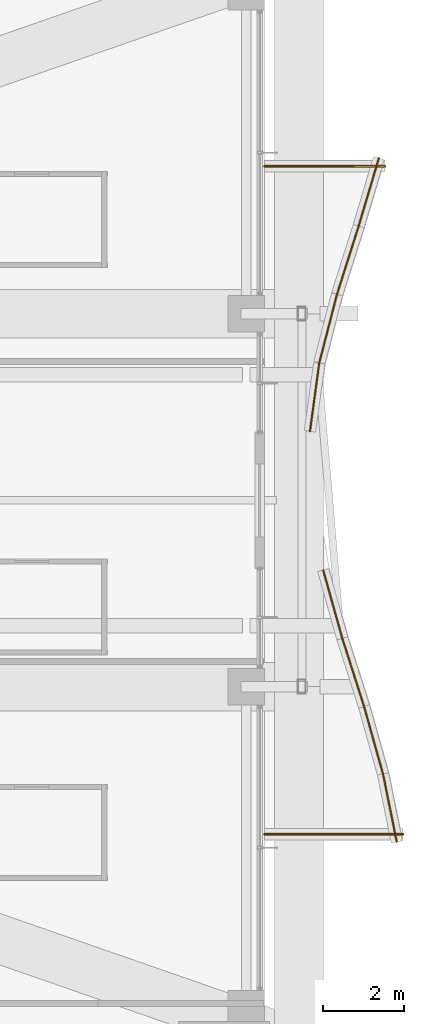
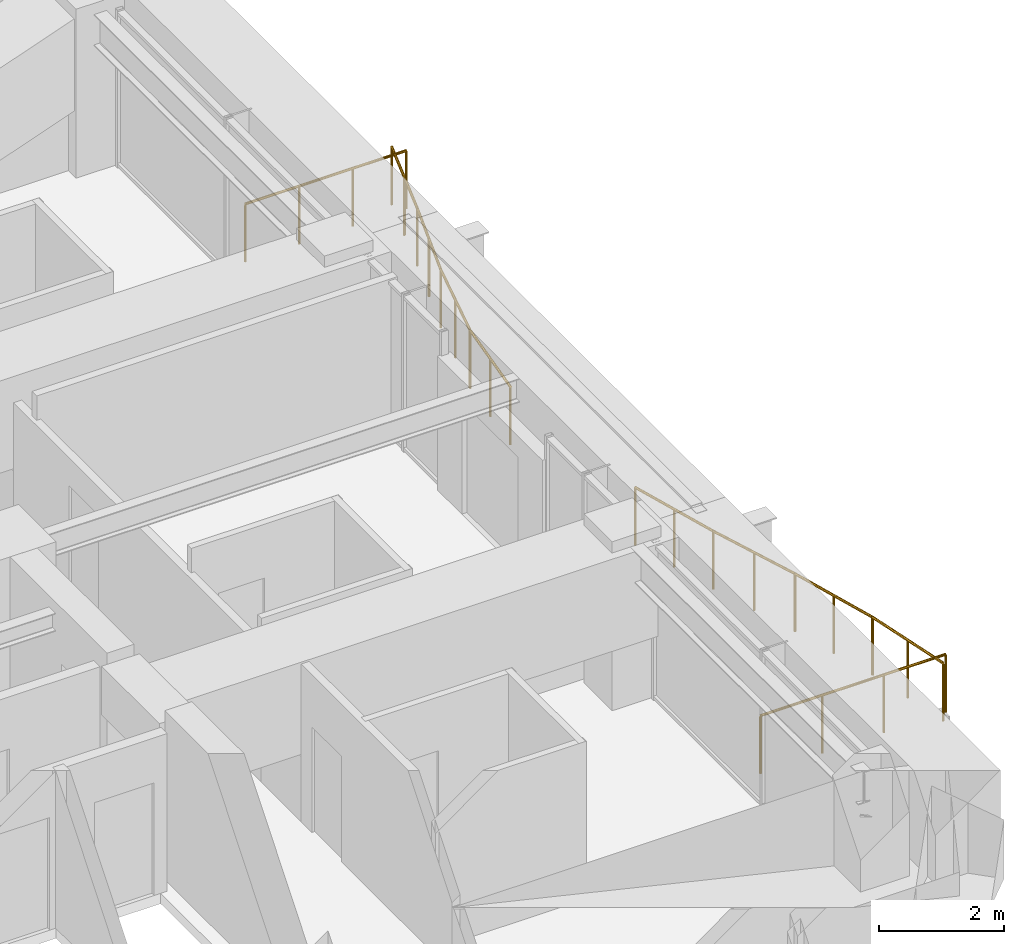
# One storey, part 40 of 40: 10 railings.
"""IFC4 building model written with IfcOpenShell, lengths in metres."""

from ifc_helpers import new_model, si_unit, direction, frame, origin, origin_2d, place, context, subcontext, project, spatial, circle, extrude, material, type_object, element, save


model = new_model("IFC4")

# Units and contexts
model_context = context("Model", 3, precision=1e-05, world=origin(), true_north=direction((0.0, 1.0)))
body_context = subcontext(model_context, "Body", "Model", "MODEL_VIEW")
ifc_project = project(units=[si_unit("LENGTHUNIT", "METRE"), si_unit("AREAUNIT", "SQUARE_METRE"), si_unit("VOLUMEUNIT", "CUBIC_METRE"), si_unit("PLANEANGLEUNIT", "RADIAN"), si_unit("MASSUNIT", "GRAM", prefix="KILO")], contexts=[model_context])

# Site, building, storey
site_placement = place(None, origin())
site = spatial("IfcSite", under=ifc_project, at=site_placement, CompositionType="ELEMENT")
building_placement = place(site_placement, origin())
building = spatial("IfcBuilding", under=site, at=building_placement, Name="Kolvaren Belvedere", CompositionType="ELEMENT")
storey_placement = place(building_placement, frame((0.0, 0.0, 170.10009765625)))
storey = spatial("IfcBuildingStorey", under=building, at=storey_placement, Name="L49", CompositionType="ELEMENT", Elevation=170.10009765625)

# Railings
ifc_material = material(Name="Anodised pale-metal aluminium & laminated glass guard", Category="aluminium")
railing_type = type_object("IfcRailingType", Name="RL-GUARD-1150", PredefinedType="GUARDRAIL", material=ifc_material)
railing_1_placement = place(storey_placement, frame((22.36328125, -8.431884765625, 0.39990234375)))
element("IfcRailing", 1, at=railing_1_placement, inside=storey, type_object=railing_type, Name="L49 Exterior Deck Safety Guard BAL-E-1", PredefinedType="GUARDRAIL", context=body_context, shape_type="SweptSolid", body=[
    extrude(circle(Radius=0.02392578125, at=origin_2d()), frame((0.0, 0.0, 1.1259765625), z_axis=(-0.198799211857, 0.980040240687, 0.0), x_axis=(-0.980040240687, -0.198799211857, 0.0)), (0.0, 0.0, 1.0), 1.71435546875),
    extrude(circle(Radius=0.02099609375, at=origin_2d()), origin(), (0.0, 0.0, 1.0), 1.101806640625),
    extrude(circle(Radius=0.02099609375, at=origin_2d()), frame((-0.17041015625, 0.840087890625, 0.0)), (0.0, 0.0, 1.0), 1.101806640625),
    extrude(circle(Radius=0.02099609375, at=origin_2d()), frame((-0.3408203125, 1.68017578125, 0.0)), (0.0, 0.0, 1.0), 1.101806640625),
])
railing_2_placement = place(storey_placement, frame((22.025146484375, -6.76318359375, 0.39990234375)))
element("IfcRailing", 2, at=railing_2_placement, inside=storey, type_object=railing_type, Name="L49 Exterior Deck Safety Guard BAL-E-2", PredefinedType="GUARDRAIL", context=body_context, shape_type="SweptSolid", body=[
    extrude(circle(Radius=0.02392578125, at=origin_2d()), frame((0.0, 0.0, 1.1259765625), z_axis=(-0.269801210823, 0.962916043401, 0.0), x_axis=(-0.962916043401, -0.269801210823, 0.0)), (0.0, 0.0, 1.0), 1.74462890625),
    extrude(circle(Radius=0.02099609375, at=origin_2d()), origin(), (0.0, 0.0, 1.0), 1.101806640625),
    extrude(circle(Radius=0.02099609375, at=origin_2d()), frame((-0.2353515625, 0.83984375, 0.0)), (0.0, 0.0, 1.0), 1.101806640625),
    extrude(circle(Radius=0.02099609375, at=origin_2d()), frame((-0.470703125, 1.679931640625, 0.0)), (0.0, 0.0, 1.0), 1.101806640625),
])
railing_3_placement = place(storey_placement, frame((21.55615234375, -5.088623046875, 0.39990234375)))
element("IfcRailing", 3, at=railing_3_placement, inside=storey, type_object=railing_type, Name="L49 Exterior Deck Safety Guard BAL-E-3", PredefinedType="GUARDRAIL", context=body_context, shape_type="SweptSolid", body=[
    extrude(circle(Radius=0.02392578125, at=origin_2d()), frame((0.0, 0.0, 1.1259765625), z_axis=(-0.304534629099, 0.952501264923, 0.0), x_axis=(-0.952501264923, -0.304534629099, 0.0)), (0.0, 0.0, 1.0), 1.763671875),
    extrude(circle(Radius=0.02099609375, at=origin_2d()), origin(), (0.0, 0.0, 1.0), 1.101806640625),
    extrude(circle(Radius=0.02099609375, at=origin_2d()), frame((-0.2685546875, 0.83984375, 0.0)), (0.0, 0.0, 1.0), 1.101806640625),
    extrude(circle(Radius=0.02099609375, at=origin_2d()), frame((-0.537109375, 1.679931640625, 0.0)), (0.0, 0.0, 1.0), 1.101806640625),
])
railing_4_placement = place(storey_placement, frame((21.017333984375, -3.4033203125, 0.39990234375)))
element("IfcRailing", 4, at=railing_4_placement, inside=storey, type_object=railing_type, Name="L49 Exterior Deck Safety Guard BAL-E-4", PredefinedType="GUARDRAIL", context=body_context, shape_type="SweptSolid", body=[
    extrude(circle(Radius=0.02392578125, at=origin_2d()), frame((0.0, 0.0, 1.1259765625), z_axis=(-0.269764860108, 0.962926227834, 0.0), x_axis=(-0.962926227834, -0.269764860108, 0.0)), (0.0, 0.0, 1.0), 1.744873046875),
    extrude(circle(Radius=0.02099609375, at=origin_2d()), origin(), (0.0, 0.0, 1.0), 1.101806640625),
    extrude(circle(Radius=0.02099609375, at=origin_2d()), frame((-0.2353515625, 0.840087890625, 0.0)), (0.0, 0.0, 1.0), 1.101806640625),
    extrude(circle(Radius=0.02099609375, at=origin_2d()), frame((-0.470703125, 1.68017578125, 0.0)), (0.0, 0.0, 1.0), 1.101806640625),
])
railing_5_placement = place(storey_placement, frame((20.220703125, 1.70166015625, 0.39990234375)))
element("IfcRailing", 5, at=railing_5_placement, inside=storey, type_object=railing_type, Name="L49 Exterior Deck Safety Guard BAL-E-7", PredefinedType="GUARDRAIL", context=body_context, shape_type="SweptSolid", body=[
    extrude(circle(Radius=0.02392578125, at=origin_2d()), frame((0.0, 0.0, 1.1259765625), z_axis=(0.134785469631, 0.990874803987, 0.0), x_axis=(-0.990874803987, 0.134785469631, 0.0)), (0.0, 0.0, 1.0), 1.6953125),
    extrude(circle(Radius=0.02099609375, at=origin_2d()), origin(), (0.0, 0.0, 1.0), 1.101806640625),
    extrude(circle(Radius=0.02099609375, at=origin_2d()), frame((0.1142578125, 0.83984375, 0.0)), (0.0, 0.0, 1.0), 1.101806640625),
    extrude(circle(Radius=0.02099609375, at=origin_2d()), frame((0.228515625, 1.679931640625, 0.0)), (0.0, 0.0, 1.0), 1.101806640625),
])
railing_6_placement = place(storey_placement, frame((20.452880859375, 3.400146484375, 0.39990234375)))
element("IfcRailing", 6, at=railing_6_placement, inside=storey, type_object=railing_type, Name="L49 Exterior Deck Safety Guard BAL-E-8", PredefinedType="GUARDRAIL", context=body_context, shape_type="SweptSolid", body=[
    extrude(circle(Radius=0.02392578125, at=origin_2d()), frame((0.0, 0.0, 1.1259765625), z_axis=(0.250439664624, 0.968132209145, 0.0), x_axis=(-0.968132209145, 0.250439664624, 0.0)), (0.0, 0.0, 1.0), 1.7353515625),
    extrude(circle(Radius=0.02099609375, at=origin_2d()), origin(), (0.0, 0.0, 1.0), 1.101806640625),
    extrude(circle(Radius=0.02099609375, at=origin_2d()), frame((0.21728515625, 0.83984375, 0.0)), (0.0, 0.0, 1.0), 1.101806640625),
    extrude(circle(Radius=0.02099609375, at=origin_2d()), frame((0.4345703125, 1.679931640625, 0.0)), (0.0, 0.0, 1.0), 1.101806640625),
])
railing_7_placement = place(storey_placement, frame((20.889892578125, 5.08837890625, 0.39990234375)))
element("IfcRailing", 7, at=railing_7_placement, inside=storey, type_object=railing_type, Name="L49 Exterior Deck Safety Guard BAL-E-9", PredefinedType="GUARDRAIL", context=body_context, shape_type="SweptSolid", body=[
    extrude(circle(Radius=0.02392578125, at=origin_2d()), frame((0.0, 0.0, 1.1259765625), z_axis=(0.302397356111, 0.953181954832, 0.0), x_axis=(-0.953181954832, 0.302397356111, 0.0)), (0.0, 0.0, 1.0), 1.762451171875),
    extrude(circle(Radius=0.02099609375, at=origin_2d()), origin(), (0.0, 0.0, 1.0), 1.101806640625),
    extrude(circle(Radius=0.02099609375, at=origin_2d()), frame((0.2666015625, 0.83984375, 0.0)), (0.0, 0.0, 1.0), 1.101806640625),
    extrude(circle(Radius=0.02099609375, at=origin_2d()), frame((0.532958984375, 1.679931640625, 0.0)), (0.0, 0.0, 1.0), 1.101806640625),
])
railing_8_placement = place(storey_placement, frame((21.422119140625, 6.765625, 0.39990234375)))
element("IfcRailing", 8, at=railing_8_placement, inside=storey, type_object=railing_type, Name="L49 Exterior Deck Safety Guard BAL-E-10", PredefinedType="GUARDRAIL", context=body_context, shape_type="SweptSolid", body=[
    extrude(circle(Radius=0.02392578125, at=origin_2d()), frame((0.0, 0.0, 1.1259765625), z_axis=(0.284880325779, 0.95856309129, 0.0), x_axis=(-0.95856309129, 0.284880325779, 0.0)), (0.0, 0.0, 1.0), 1.75244140625),
    extrude(circle(Radius=0.02099609375, at=origin_2d()), origin(), (0.0, 0.0, 1.0), 1.101806640625),
    extrude(circle(Radius=0.02099609375, at=origin_2d()), frame((0.24951171875, 0.83984375, 0.0)), (0.0, 0.0, 1.0), 1.101806640625),
    extrude(circle(Radius=0.02099609375, at=origin_2d()), frame((0.499267578125, 1.679931640625, 0.0)), (0.0, 0.0, 1.0), 1.101806640625),
])
railing_9_placement = place(storey_placement, frame((22.07470703125, 8.239990234375, 0.39990234375)))
element("IfcRailing", 9, at=railing_9_placement, inside=storey, type_object=railing_type, Name="L49 Exterior Deck Safety Guard BAL-E-11", PredefinedType="GUARDRAIL", context=body_context, shape_type="SweptSolid", body=[
    extrude(circle(Radius=0.02392578125, at=origin_2d()), frame((0.0, 0.0, 1.1259765625), z_axis=(-1.0, 0.0, 0.0), x_axis=(0.0, -1.0, 0.0)), (0.0, 0.0, 1.0), 2.974609375),
    extrude(circle(Radius=0.02099609375, at=origin_2d()), origin(), (0.0, 0.0, 1.0), 1.101806640625),
    extrude(circle(Radius=0.02099609375, at=origin_2d()), frame((-0.991455078125, 0.0, 0.0)), (0.0, 0.0, 1.0), 1.101806640625),
    extrude(circle(Radius=0.02099609375, at=origin_2d()), frame((-1.983154296875, 0.0, 0.0)), (0.0, 0.0, 1.0), 1.101806640625),
    extrude(circle(Radius=0.02099609375, at=origin_2d()), frame((-2.974609375, 0.0, 0.0)), (0.0, 0.0, 1.0), 1.101806640625),
])
railing_10_placement = place(storey_placement, frame((19.10009765625, -8.239990234375, 0.39990234375)))
element("IfcRailing", 10, at=railing_10_placement, inside=storey, type_object=railing_type, Name="L49 Exterior Deck Safety Guard BAL-E-22", PredefinedType="GUARDRAIL", context=body_context, shape_type="SweptSolid", body=[
    extrude(circle(Radius=0.02392578125, at=origin_2d()), frame((0.0, 0.0, 1.1259765625), z_axis=(1.0, 0.0, 0.0), x_axis=(0.0, 1.0, 0.0)), (0.0, 0.0, 1.0), 3.419921875),
    extrude(circle(Radius=0.02099609375, at=origin_2d()), origin(), (0.0, 0.0, 1.0), 1.101806640625),
    extrude(circle(Radius=0.02099609375, at=origin_2d()), frame((1.139892578125, 0.0, 0.0)), (0.0, 0.0, 1.0), 1.101806640625),
    extrude(circle(Radius=0.02099609375, at=origin_2d()), frame((2.280029296875, 0.0, 0.0)), (0.0, 0.0, 1.0), 1.101806640625),
    extrude(circle(Radius=0.02099609375, at=origin_2d()), frame((3.419921875, 0.0, 0.0)), (0.0, 0.0, 1.0), 1.101806640625),
])

save(model, "model.ifc")
